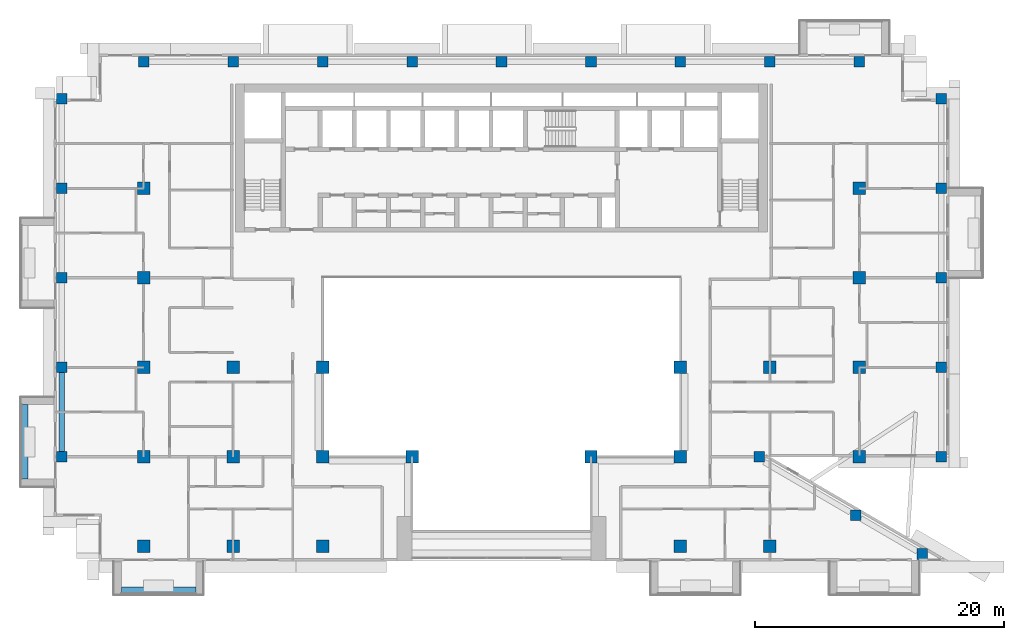
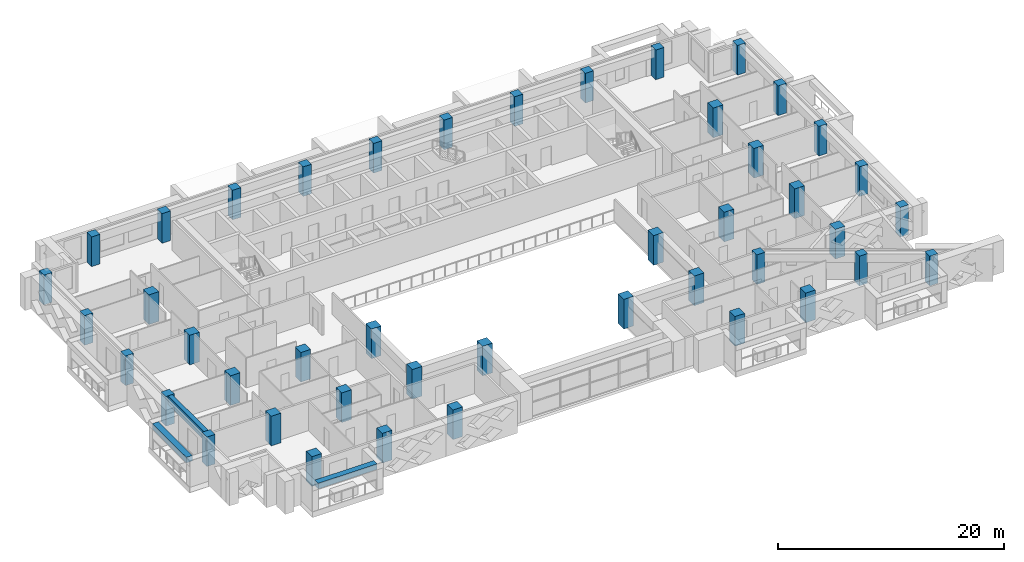
# One storey, part 1 of 20: 44 columns, 3 beams.
"""IFC4 building model written with IfcOpenShell, lengths in metres."""

from ifc_helpers import new_model, si_unit, direction, frame, origin, origin_2d, place, context, subcontext, project, spatial, rectangle, extrude, source, transform, mapped, material, material_profile, profile_set, type_object, element, save


model = new_model("IFC4")

# Units and contexts
model_context = context("Model", 3, precision=1e-05, world=origin(), true_north=direction((0.0, 1.0)))
body_context = subcontext(model_context, "Body", "Model", "MODEL_VIEW")
ifc_project = project(units=[si_unit("LENGTHUNIT", "METRE"), si_unit("AREAUNIT", "SQUARE_METRE"), si_unit("VOLUMEUNIT", "CUBIC_METRE"), si_unit("PLANEANGLEUNIT", "RADIAN"), si_unit("MASSUNIT", "GRAM", prefix="KILO")], contexts=[model_context])

# Site, building, storey
site_placement = place(None, origin())
site = spatial("IfcSite", under=ifc_project, at=site_placement, CompositionType="ELEMENT")
building_placement = place(site_placement, origin())
building = spatial("IfcBuilding", under=site, at=building_placement, Name="Saffron Iwan Residences", CompositionType="ELEMENT")
storey_placement = place(building_placement, frame((0.0, 0.0, 171.0)))
storey = spatial("IfcBuildingStorey", under=building, at=storey_placement, Name="L45", CompositionType="ELEMENT", Elevation=171.0)

# Columns
ifc_material_1 = material(Name="Concrete C50/60", Category="concrete")
ifc_material_profile_1 = material_profile(ifc_material_1, rectangle(XDim=0.85009765625, YDim=0.85009765625, at=origin_2d()), Name="RC 850x850")
ifc_profile_set_1 = profile_set([ifc_material_profile_1], Name="Concrete C50/60")
column_type_1 = type_object("IfcColumnType", Name="COL RC 850x850 C50/60 3200 HIGH", PredefinedType="COLUMN", material=ifc_profile_set_1)
shared_shape_1 = source(origin(), body_context, "Body", "SweptSolid", [
    extrude(rectangle(XDim=0.85009765625, YDim=0.85009765625, at=origin_2d()), origin(), (0.0, 0.0, 1.0), 3.199951171875),
])
for number, where, z_axis, x_axis, name in (
    (1, (84.276123046875, 40.17431640625, 0.0), (0.0, 0.0, 1.0), (1.0, 0.0, 0.0), "Column C045"),
    (2, (78.897705078125, 43.28173828125, 0.0), (0.0, 0.0, 1.0), (1.0, 0.0, 0.0), "Column C058"),
    (3, (15.0, 48.0, 0.0), (0.0, 0.0, 1.0), (1.0, 0.0, 0.0), "Column C061"),
    (4, (71.14990234375, 48.0, 0.0), (0.0, 0.0, 1.0), (1.0, 0.0, 0.0), "Column C070"),
    (5, (85.800048828125, 48.0, 0.0), (0.0, 0.0, 1.0), (1.0, 0.0, 0.0), "Column C074"),
    (6, (15.0, 55.199951171875, 0.0), (0.0, 0.0, 1.0), (1.0, 0.0, 0.0), "Column C077"),
    (7, (85.800048828125, 55.199951171875, 0.0), (0.0, 0.0, 1.0), (1.0, 0.0, 0.0), "Column C086"),
    (8, (15.0, 62.39990234375, 0.0), (0.0, 0.0, 1.0), (1.0, 0.0, 0.0), "Column C089"),
    (9, (85.800048828125, 62.39990234375, 0.0), (0.0, 0.0, 1.0), (1.0, 0.0, 0.0), "Column C094"),
    (10, (15.0, 69.60009765625, 0.0), (0.0, 0.0, 1.0), (1.0, 0.0, 0.0), "Column C097"),
    (11, (85.800048828125, 69.60009765625, 0.0), (0.0, 0.0, 1.0), (1.0, 0.0, 0.0), "Column C102"),
    (12, (15.0, 76.800048828125, 0.0), (0.0, 0.0, 1.0), (1.0, 0.0, 0.0), "Column C105"),
    (13, (85.800048828125, 76.800048828125, 0.0), (0.0, 0.0, 1.0), (1.0, 0.0, 0.0), "Column C110"),
    (14, (21.60009765625, 79.800048828125, 0.0), (0.0, 0.0, 1.0), (1.0, 0.0, 0.0), "Column C113"),
    (15, (28.800048828125, 79.800048828125, 0.0), (0.0, 0.0, 1.0), (1.0, 0.0, 0.0), "Column C115"),
    (16, (36.0, 79.800048828125, 0.0), (0.0, 0.0, 1.0), (1.0, 0.0, 0.0), "Column C116"),
    (17, (43.199951171875, 79.800048828125, 0.0), (0.0, 0.0, 1.0), (1.0, 0.0, 0.0), "Column C117"),
    (18, (50.39990234375, 79.800048828125, 0.0), (0.0, 0.0, 1.0), (1.0, 0.0, 0.0), "Column C118"),
    (19, (57.60009765625, 79.800048828125, 0.0), (0.0, 0.0, 1.0), (1.0, 0.0, 0.0), "Column C119"),
    (20, (64.800048828125, 79.800048828125, 0.0), (0.0, 0.0, 1.0), (1.0, 0.0, 0.0), "Column C120"),
    (21, (72.0, 79.800048828125, 0.0), (0.0, 0.0, 1.0), (1.0, 0.0, 0.0), "Column C121"),
    (22, (79.199951171875, 79.800048828125, 0.0), (0.0, 0.0, 1.0), (1.0, 0.0, 0.0), "Column C123"),
):
    element("IfcColumn", number, at=place(storey_placement, frame(where, z_axis=z_axis, x_axis=x_axis)), inside=storey, type_object=column_type_1, Name=name, PredefinedType="COLUMN", context=body_context, shape_type="MappedRepresentation", body=[
        mapped(shared_shape_1, transform((0.0, 0.0, 0.0))),
    ])
ifc_material_profile_2 = material_profile(ifc_material_1, rectangle(XDim=1.0, YDim=1.0, at=origin_2d()), Name="RC 1000x1000")
ifc_profile_set_2 = profile_set([ifc_material_profile_2], Name="Concrete C50/60")
column_type_2 = type_object("IfcColumnType", Name="COL RC 1000x1000 C50/60 3200 HIGH", PredefinedType="COLUMN", material=ifc_profile_set_2)
shared_shape_2 = source(origin(), body_context, "Body", "SweptSolid", [
    extrude(rectangle(XDim=1.0, YDim=1.0, at=origin_2d()), origin(), (0.0, 0.0, 1.0), 3.199951171875),
])
for number, where, z_axis, x_axis, name in (
    (23, (21.60009765625, 40.800048828125, 0.0), (0.0, 0.0, 1.0), (1.0, 0.0, 0.0), "Column C049"),
    (24, (28.800048828125, 40.800048828125, 0.0), (0.0, 0.0, 1.0), (1.0, 0.0, 0.0), "Column C051"),
    (25, (36.0, 40.800048828125, 0.0), (0.0, 0.0, 1.0), (1.0, 0.0, 0.0), "Column C052"),
    (26, (64.800048828125, 40.800048828125, 0.0), (0.0, 0.0, 1.0), (1.0, 0.0, 0.0), "Column C055"),
    (27, (72.0, 40.800048828125, 0.0), (0.0, 0.0, 1.0), (1.0, 0.0, 0.0), "Column C056"),
    (28, (21.60009765625, 48.0, 0.0), (0.0, 0.0, 1.0), (1.0, 0.0, 0.0), "Column C063"),
    (29, (28.800048828125, 48.0, 0.0), (0.0, 0.0, 1.0), (1.0, 0.0, 0.0), "Column C064"),
    (30, (36.0, 48.0, 0.0), (0.0, 0.0, 1.0), (1.0, 0.0, 0.0), "Column C065"),
    (31, (43.199951171875, 48.0, 0.0), (0.0, 0.0, 1.0), (1.0, 0.0, 0.0), "Column C066"),
    (32, (57.60009765625, 48.0, 0.0), (0.0, 0.0, 1.0), (1.0, 0.0, 0.0), "Column C068"),
    (33, (64.800048828125, 48.0, 0.0), (0.0, 0.0, 1.0), (1.0, 0.0, 0.0), "Column C069"),
    (34, (79.199951171875, 48.0, 0.0), (0.0, 0.0, 1.0), (1.0, 0.0, 0.0), "Column C072"),
    (35, (21.60009765625, 55.199951171875, 0.0), (0.0, 0.0, 1.0), (1.0, 0.0, 0.0), "Column C079"),
    (36, (28.800048828125, 55.199951171875, 0.0), (0.0, 0.0, 1.0), (1.0, 0.0, 0.0), "Column C080"),
    (37, (36.0, 55.199951171875, 0.0), (0.0, 0.0, 1.0), (1.0, 0.0, 0.0), "Column C081"),
    (38, (64.800048828125, 55.199951171875, 0.0), (0.0, 0.0, 1.0), (1.0, 0.0, 0.0), "Column C082"),
    (39, (72.0, 55.199951171875, 0.0), (0.0, 0.0, 1.0), (1.0, 0.0, 0.0), "Column C083"),
    (40, (79.199951171875, 55.199951171875, 0.0), (0.0, 0.0, 1.0), (1.0, 0.0, 0.0), "Column C084"),
    (41, (21.60009765625, 62.39990234375, 0.0), (0.0, 0.0, 1.0), (1.0, 0.0, 0.0), "Column C091"),
    (42, (79.199951171875, 62.39990234375, 0.0), (0.0, 0.0, 1.0), (1.0, 0.0, 0.0), "Column C092"),
    (43, (21.60009765625, 69.60009765625, 0.0), (0.0, 0.0, 1.0), (1.0, 0.0, 0.0), "Column C099"),
    (44, (79.199951171875, 69.60009765625, 0.0), (0.0, 0.0, 1.0), (1.0, 0.0, 0.0), "Column C100"),
):
    element("IfcColumn", number, at=place(storey_placement, frame(where, z_axis=z_axis, x_axis=x_axis)), inside=storey, type_object=column_type_2, Name=name, PredefinedType="COLUMN", context=body_context, shape_type="MappedRepresentation", body=[
        mapped(shared_shape_2, transform((0.0, 0.0, 0.0))),
    ])

# Beams
ifc_material_profile_3 = material_profile(ifc_material_1, rectangle(XDim=0.449951171875, YDim=0.89990234375, at=origin_2d()), Name="RC 450x900")
ifc_profile_set_3 = profile_set([ifc_material_profile_3], Name="Concrete C50/60")
beam_type_1 = type_object("IfcBeamType", Name="SPANDREL BEAM RC 450x900 C50/60 TOP 3200", PredefinedType="SPANDREL", material=ifc_profile_set_3)
shared_shape_3 = source(origin(), body_context, "Body", "SweptSolid", [
    extrude(rectangle(XDim=0.449951171875, YDim=0.89990234375, at=origin_2d()), origin(), (0.0, 0.0, 1.0), 6.349853515625),
])
beam_placement = place(storey_placement, frame((15.0, 48.425048828125, 2.75), z_axis=(0.0, 1.0, 0.0), x_axis=(-1.0, 0.0, 0.0)))
element("IfcBeam", 45, at=beam_placement, inside=storey, type_object=beam_type_1, Name="Spandrel beam", PredefinedType="SPANDREL", context=body_context, shape_type="MappedRepresentation", body=[
    mapped(shared_shape_3, transform((0.0, 0.0, 0.0))),
])
ifc_material_2 = material(Name="Concrete C50/60 white painted", Category="concrete")
ifc_material_profile_4 = material_profile(ifc_material_2, rectangle(XDim=0.60009765625, YDim=0.60009765625, at=origin_2d()), Name="BALCONY FASCIA BEAM 600 x 600")
ifc_profile_set_4 = profile_set([ifc_material_profile_4], Name="Concrete C50/60 white painted")
beam_type_2 = type_object("IfcBeamType", Name="BALCONY FASCIA BEAM 600 x 600", PredefinedType="BEAM", material=ifc_profile_set_4)
shared_shape_4 = source(origin(), body_context, "Body", "SweptSolid", [
    extrude(rectangle(XDim=0.60009765625, YDim=0.60009765625, at=origin_2d()), origin(), (0.0, 0.0, 1.0), 6.0),
])
for number, where, z_axis, x_axis, name in (
    (46, (12.0, 52.199951171875, 2.550048828125), (0.0, -1.0, 0.0), (1.0, 0.0, 0.0), "Balcony fascia beam L45 F8-1"),
    (47, (19.800048828125, 37.199951171875, 2.550048828125), (1.0, 0.0, 0.0), (0.0, 1.0, 0.0), "Balcony fascia beam L45 11-0"),
):
    element("IfcBeam", number, at=place(storey_placement, frame(where, z_axis=z_axis, x_axis=x_axis)), inside=storey, type_object=beam_type_2, Name=name, PredefinedType="BEAM", context=body_context, shape_type="MappedRepresentation", body=[
        mapped(shared_shape_4, transform((0.0, 0.0, 0.0))),
    ])

save(model, "model.ifc")
